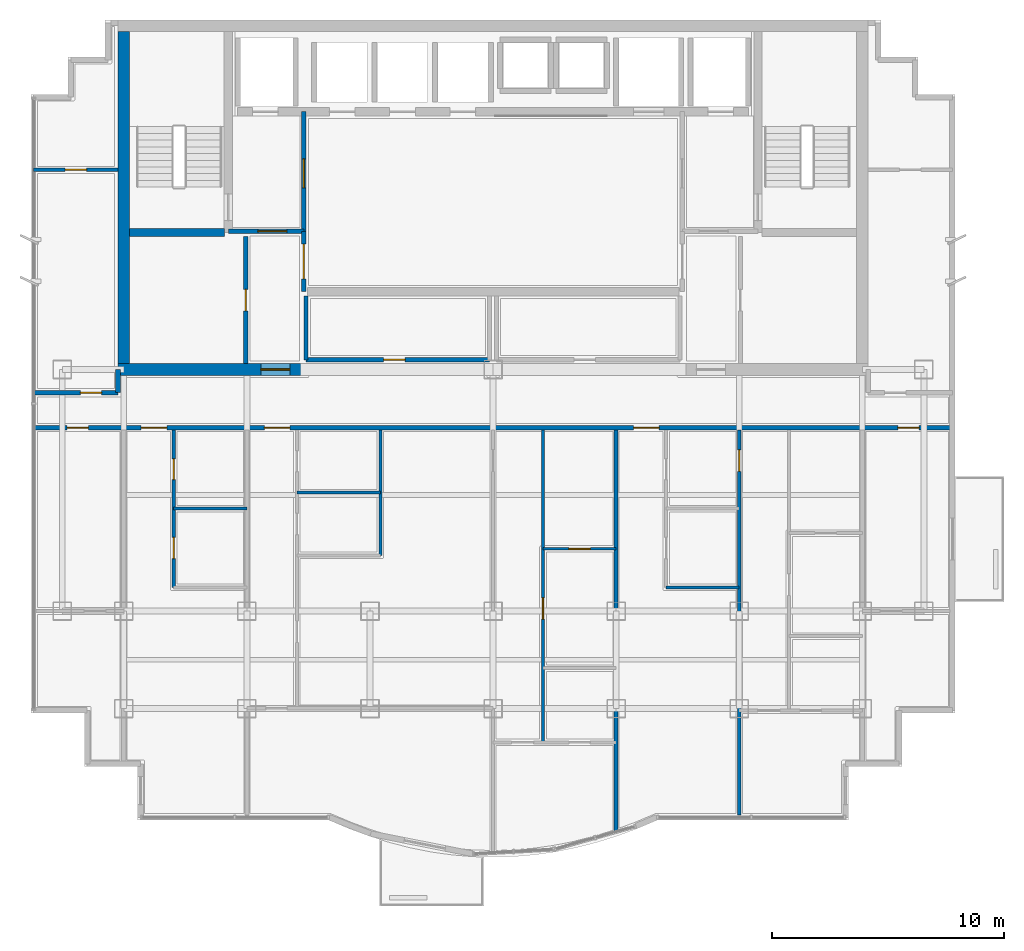
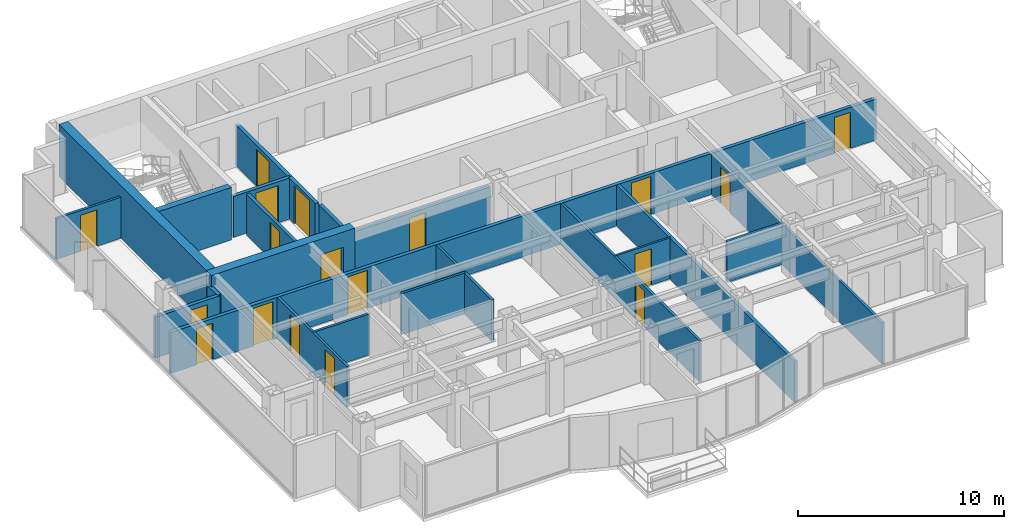
# One storey, part 7 of 11: 22 walls, 18 doors, 18 openings.
"""IFC4 building model written with IfcOpenShell, lengths in metres."""

from ifc_helpers import new_model, si_unit, direction, frame, frame_2d, origin, place, context, subcontext, project, spatial, rectangle, extrude, material, layer, layer_set, type_object, element, fill, save


model = new_model("IFC4")

# Units and contexts
model_context = context("Model", 3, precision=1e-05, world=origin(), true_north=direction((0.0, 1.0)))
body_context = subcontext(model_context, "Body", "Model", "MODEL_VIEW")
ifc_project = project(units=[si_unit("LENGTHUNIT", "METRE"), si_unit("AREAUNIT", "SQUARE_METRE"), si_unit("VOLUMEUNIT", "CUBIC_METRE"), si_unit("PLANEANGLEUNIT", "RADIAN"), si_unit("MASSUNIT", "GRAM", prefix="KILO")], contexts=[model_context])

# Site, building, storey
site_placement = place(None, origin())
site = spatial("IfcSite", under=ifc_project, at=site_placement, CompositionType="ELEMENT")
building_placement = place(site_placement, origin())
building = spatial("IfcBuilding", under=site, at=building_placement, Name="Qianlan Lanfeng Residences", CompositionType="ELEMENT")
storey_placement = place(building_placement, frame((0.0, 0.0, 203.300048828125)))
storey = spatial("IfcBuildingStorey", under=building, at=storey_placement, Name="L55", CompositionType="ELEMENT", Elevation=203.300048828125)

# Walls
ifc_material_1 = material(Name="Concrete C49", Category="concrete")
ifc_layer_1 = layer(ifc_material_1, 0.35009765625)
ifc_layer_set_1 = layer_set([ifc_layer_1], Name="Concrete C49")
wall_type_1 = type_object("IfcWallType", Name="CW-RC-350", PredefinedType="SHEAR", material=ifc_layer_set_1)
wall_1_placement = place(storey_placement, frame((10.85009765625, 31.10009765625, 0.0), z_axis=(0.0, 0.0, 1.0), x_axis=(1.0, 0.0, 0.0)))
element("IfcWall", 1, at=wall_1_placement, inside=storey, type_object=wall_type_1, Name="L55 Core Shear Wall ST1S", PredefinedType="SHEAR", context=body_context, shape_type="SweptSolid", body=[
    extrude(rectangle(XDim=4.074951171875, YDim=0.35009765625, at=frame_2d((2.03759765625, 0.0))), origin(), (0.0, 0.0, 1.0), 3.10986328125),
])
ifc_material_2 = material(Name="Concrete C70", Category="concrete")
ifc_layer_2 = layer(ifc_material_2, 0.5)
ifc_layer_set_2 = layer_set([ifc_layer_2], Name="Concrete C70")
wall_type_2 = type_object("IfcWallType", Name="CW-RC-500", PredefinedType="SHEAR", material=ifc_layer_set_2)
wall_2_placement = place(storey_placement, frame((10.60009765625, 25.449951171875, 0.0), z_axis=(0.0, 0.0, 1.0), x_axis=(0.0, 1.0, 0.0)))
element("IfcWall", 2, at=wall_2_placement, inside=storey, type_object=wall_type_2, Name="L55 Core Shear Wall W", PredefinedType="SHEAR", context=body_context, shape_type="SweptSolid", body=[
    extrude(rectangle(XDim=14.300048828125, YDim=0.5, at=frame_2d((7.14990234375, 0.0))), origin(), (0.0, 0.0, 1.0), 3.10986328125),
])

# Wall, opening, door
wall_3_placement = place(storey_placement, frame((10.35009765625, 25.199951171875, 0.0), z_axis=(0.0, 0.0, 1.0), x_axis=(1.0, 0.0, 0.0)))
wall_3 = element("IfcWall", 3, at=wall_3_placement, inside=storey, type_object=wall_type_2, Name="L55 Core Shear Wall SW", PredefinedType="SHEAR", context=body_context, shape_type="SweptSolid", body=[
    extrude(rectangle(XDim=8.0498046875, YDim=0.5, at=frame_2d((4.02490234375, 0.0))), origin(), (0.0, 0.0, 1.0), 3.10986328125),
])
opening_1_placement = place(wall_3_placement, frame((6.14990234375, 0.0, 0.0)))
opening_1 = element("IfcOpeningElement", 4, at=opening_1_placement, cuts=wall_3, Name="Opening L55-D01", PredefinedType="OPENING", context=body_context, shape_type="SweptSolid", body=[
    extrude(rectangle(XDim=1.25, YDim=2.199951171875, at=frame_2d((0.625, 1.10009765625))), frame((0.0, 0.260009765625, 0.0), z_axis=(0.0, -1.0, 0.0), x_axis=(1.0, 0.0, 0.0)), (0.0, 0.0, 1.0), 0.52001953125),
])
ifc_material_3 = material(Name="Painted Galvanised Steel Fire Door", Category="steel")
door_type_1 = type_object("IfcDoorType", Name="DT-FFL", OperationType="NOTDEFINED", PredefinedType="DOOR", material=ifc_material_3)
door_1_placement = place(opening_1_placement, frame((1.25, 0.0, 0.0), z_axis=(0.0, 0.0, 1.0), x_axis=(-1.0, 0.0, 0.0)))
door_1 = element("IfcDoor", 5, at=door_1_placement, inside=storey, type_object=door_type_1, Name="L55 West Core Lobby Smoke Door L55-D01 (DT-FFL)", OperationType="SINGLE_SWING_RIGHT", OverallHeight=2.199951171875, OverallWidth=1.25, PredefinedType="DOOR", context=body_context, shape_type="SweptSolid", body=[
    extrude(rectangle(XDim=1.25, YDim=2.199951171875, at=frame_2d((0.625, 1.10009765625))), frame((0.0, 0.02490234375, 0.0), z_axis=(0.0, -1.0, 0.0), x_axis=(1.0, 0.0, 0.0)), (0.0, 0.0, 1.0), 0.050048828125),
])
fill(opening_1, door_1)

ifc_material_4 = material(Name="Demountable Acoustic Framing Partition 110 mm")
ifc_layer_3 = layer(ifc_material_4, 0.110107421875)
ifc_layer_set_3 = layer_set([ifc_layer_3], Name="Demountable Acoustic Framing Partition 110 mm")
wall_type_3 = type_object("IfcWallType", Name="PW-110", PredefinedType="MOVABLE", material=ifc_layer_set_3)
wall_4_placement = place(storey_placement, frame((28.64990234375, 17.47412109375, 0.0), z_axis=(0.0, 0.0, 1.0), x_axis=(1.0, 0.0, 0.0)))
wall_4 = element("IfcWall", 6, at=wall_4_placement, inside=storey, type_object=wall_type_3, Name="L55 U02 Wardrobe Split", PredefinedType="MOVABLE", context=body_context, shape_type="SweptSolid", body=[
    extrude(rectangle(XDim=3.150146484375, YDim=0.110107421875, at=frame_2d((1.5751953125, 0.0))), origin(), (0.0, 0.0, 1.0), 2.429931640625),
])
opening_2_placement = place(wall_4_placement, frame((1.114990234375, 0.0, 0.0)))
opening_2 = element("IfcOpeningElement", 7, at=opening_2_placement, cuts=wall_4, Name="Opening L55-D27", PredefinedType="OPENING", context=body_context, shape_type="SweptSolid", body=[
    extrude(rectangle(XDim=0.919921875, YDim=2.14990234375, at=frame_2d((0.4599609375, 1.074951171875))), frame((0.0, 0.06494140625, 0.0), z_axis=(0.0, -1.0, 0.0), x_axis=(1.0, 0.0, 0.0)), (0.0, 0.0, 1.0), 0.130126953125),
])
ifc_material_5 = material(Name="Glazed Timber Kitchen/Study Door", Category="wood")
door_type_2 = type_object("IfcDoorType", Name="DT-INT", OperationType="NOTDEFINED", PredefinedType="DOOR", material=ifc_material_5)
door_2_placement = place(opening_2_placement, origin())
door_2 = element("IfcDoor", 8, at=door_2_placement, inside=storey, type_object=door_type_2, Name="L55 U02 Dressing Inner Door L55-D27 (DT-INT)", OperationType="SINGLE_SWING_LEFT", OverallHeight=2.14990234375, OverallWidth=0.919921875, PredefinedType="DOOR", context=body_context, shape_type="SweptSolid", body=[
    extrude(rectangle(XDim=0.919921875, YDim=2.14990234375, at=frame_2d((0.4599609375, 1.074951171875))), frame((0.0, 0.02490234375, 0.0), z_axis=(0.0, -1.0, 0.0), x_axis=(1.0, 0.0, 0.0)), (0.0, 0.0, 1.0), 0.050048828125),
])
fill(opening_2, door_2)

# Wall, openings, doors
ifc_material_6 = material(Name="Moisture-Resistant Gypsum Partition 135 mm")
ifc_layer_4 = layer(ifc_material_6, 0.135009765625)
ifc_layer_set_4 = layer_set([ifc_layer_4], Name="Moisture-Resistant Gypsum Partition 135 mm")
wall_type_4 = type_object("IfcWallType", Name="PW-135", PredefinedType="PARTITIONING", material=ifc_layer_set_4)
wall_5_placement = place(storey_placement, frame((12.75, 15.820068359375, 0.0), z_axis=(0.0, 0.0, 1.0), x_axis=(0.0, 1.0, 0.0)))
wall_5 = element("IfcWall", 9, at=wall_5_placement, inside=storey, type_object=wall_type_4, Name="L55 U01 Wet Stack Spine", PredefinedType="PARTITIONING", context=body_context, shape_type="SweptSolid", body=[
    extrude(rectangle(XDim=6.780029296875, YDim=0.135009765625, at=frame_2d((3.39013671875, 0.0))), origin(), (0.0, 0.0, 1.0), 2.429931640625),
])
opening_3_placement = place(wall_5_placement, frame((1.235107421875, 0.0, 0.0)))
opening_3 = element("IfcOpeningElement", 10, at=opening_3_placement, cuts=wall_5, Name="Opening L55-D16", PredefinedType="OPENING", context=body_context, shape_type="SweptSolid", body=[
    extrude(rectangle(XDim=0.919921875, YDim=2.14990234375, at=frame_2d((0.4599609375, 1.074951171875))), frame((0.0, 0.07763671875, 0.0), z_axis=(0.0, -1.0, 0.0), x_axis=(1.0, 0.0, 0.0)), (0.0, 0.0, 1.0), 0.155029296875),
])
opening_4_placement = place(wall_5_placement, frame((4.635009765625, 0.0, 0.0)))
opening_4 = element("IfcOpeningElement", 11, at=opening_4_placement, cuts=wall_5, Name="Opening L55-D17", PredefinedType="OPENING", context=body_context, shape_type="SweptSolid", body=[
    extrude(rectangle(XDim=0.89990234375, YDim=2.14990234375, at=frame_2d((0.449951171875, 1.074951171875))), frame((0.0, 0.07763671875, 0.0), z_axis=(0.0, -1.0, 0.0), x_axis=(1.0, 0.0, 0.0)), (0.0, 0.0, 1.0), 0.155029296875),
])
door_3_placement = place(opening_3_placement, origin())
door_3 = element("IfcDoor", 12, at=door_3_placement, inside=storey, type_object=door_type_2, Name="L55 U01 Kitchen Door L55-D16 (DT-INT)", OperationType="SINGLE_SWING_RIGHT", OverallHeight=2.14990234375, OverallWidth=0.919921875, PredefinedType="DOOR", context=body_context, shape_type="SweptSolid", body=[
    extrude(rectangle(XDim=0.919921875, YDim=2.14990234375, at=frame_2d((0.4599609375, 1.074951171875))), frame((0.0, 0.02490234375, 0.0), z_axis=(0.0, -1.0, 0.0), x_axis=(1.0, 0.0, 0.0)), (0.0, 0.0, 1.0), 0.050048828125),
])
fill(opening_3, door_3)
ifc_material_7 = material(Name="Moisture-Resistant Timber Leaf", Category="wood")
door_type_3 = type_object("IfcDoorType", Name="DT-WC", OperationType="NOTDEFINED", PredefinedType="DOOR", material=ifc_material_7)
door_4_placement = place(opening_4_placement, origin())
door_4 = element("IfcDoor", 13, at=door_4_placement, inside=storey, type_object=door_type_3, Name="L55 U01 Bathroom Door L55-D17 (DT-WC)", OperationType="SINGLE_SWING_LEFT", OverallHeight=2.14990234375, OverallWidth=0.89990234375, PredefinedType="DOOR", context=body_context, shape_type="SweptSolid", body=[
    extrude(rectangle(XDim=0.89990234375, YDim=2.14990234375, at=frame_2d((0.449951171875, 1.074951171875))), frame((0.0, 0.02490234375, 0.0), z_axis=(0.0, -1.0, 0.0), x_axis=(1.0, 0.0, 0.0)), (0.0, 0.0, 1.0), 0.050048828125),
])
fill(opening_4, door_4)

# Walls
wall_6_placement = place(storey_placement, frame((12.75, 19.2099609375, 0.0), z_axis=(0.0, 0.0, 1.0), x_axis=(1.0, 0.0, 0.0)))
element("IfcWall", 14, at=wall_6_placement, inside=storey, type_object=wall_type_4, Name="L55 U01 Bathroom South Wall", PredefinedType="PARTITIONING", context=body_context, shape_type="SweptSolid", body=[
    extrude(rectangle(XDim=3.14990234375, YDim=0.135009765625, at=frame_2d((1.574951171875, 0.0))), origin(), (0.0, 0.0, 1.0), 2.429931640625),
])
wall_7_placement = place(storey_placement, frame((21.64990234375, 17.199951171875, 0.0), z_axis=(0.0, 0.0, 1.0), x_axis=(0.0, 1.0, 0.0)))
element("IfcWall", 15, at=wall_7_placement, inside=storey, type_object=wall_type_4, Name="L55 U02 Dining East Wall", PredefinedType="PARTITIONING", context=body_context, shape_type="SweptSolid", body=[
    extrude(rectangle(XDim=5.400146484375, YDim=0.135009765625, at=frame_2d((2.7001953125, 0.0))), origin(), (0.0, 0.0, 1.0), 2.429931640625),
])
wall_8_placement = place(storey_placement, frame((18.050048828125, 19.89990234375, 0.0), z_axis=(0.0, 0.0, 1.0), x_axis=(1.0, 0.0, 0.0)))
element("IfcWall", 16, at=wall_8_placement, inside=storey, type_object=wall_type_4, Name="L55 U02 Bathroom South Wall", PredefinedType="PARTITIONING", context=body_context, shape_type="SweptSolid", body=[
    extrude(rectangle(XDim=3.599853515625, YDim=0.135009765625, at=frame_2d((1.7998046875, 0.0))), origin(), (0.0, 0.0, 1.0), 2.429931640625),
])

# Wall, opening, door
wall_9_placement = place(storey_placement, frame((28.64990234375, 9.14794921875, 0.0), z_axis=(0.0, 0.0, 1.0), x_axis=(0.0, 1.0, 0.0)))
wall_9 = element("IfcWall", 17, at=wall_9_placement, inside=storey, type_object=wall_type_4, Name="L55 U02 Master Passage Wall", PredefinedType="PARTITIONING", context=body_context, shape_type="SweptSolid", body=[
    extrude(rectangle(XDim=13.4521484375, YDim=0.135009765625, at=frame_2d((6.72607421875, 0.0))), origin(), (0.0, 0.0, 1.0), 2.429931640625),
])
opening_5_placement = place(wall_9_placement, frame((5.302978515625, 0.0, 0.0)))
opening_5 = element("IfcOpeningElement", 18, at=opening_5_placement, cuts=wall_9, Name="Opening L55-D26", PredefinedType="OPENING", context=body_context, shape_type="SweptSolid", body=[
    extrude(rectangle(XDim=0.919921875, YDim=2.14990234375, at=frame_2d((0.4599609375, 1.074951171875))), frame((0.0, 0.07763671875, 0.0), z_axis=(0.0, -1.0, 0.0), x_axis=(1.0, 0.0, 0.0)), (0.0, 0.0, 1.0), 0.155029296875),
])
door_5_placement = place(opening_5_placement, origin())
door_5 = element("IfcDoor", 19, at=door_5_placement, inside=storey, type_object=door_type_2, Name="L55 U02 Wardrobe Door L55-D26 (DT-INT)", OperationType="SINGLE_SWING_RIGHT", OverallHeight=2.14990234375, OverallWidth=0.919921875, PredefinedType="DOOR", context=body_context, shape_type="SweptSolid", body=[
    extrude(rectangle(XDim=0.919921875, YDim=2.14990234375, at=frame_2d((0.4599609375, 1.074951171875))), frame((0.0, 0.02490234375, 0.0), z_axis=(0.0, -1.0, 0.0), x_axis=(1.0, 0.0, 0.0)), (0.0, 0.0, 1.0), 0.050048828125),
])
fill(opening_5, door_5)

wall_10_placement = place(storey_placement, frame((37.10009765625, 6.02001953125, 0.0), z_axis=(0.0, 0.0, 1.0), x_axis=(0.0, 1.0, 0.0)))
wall_10 = element("IfcWall", 20, at=wall_10_placement, inside=storey, type_object=wall_type_4, Name="L55 U03 Bay Spine Wall 1", PredefinedType="PARTITIONING", context=body_context, shape_type="SweptSolid", body=[
    extrude(rectangle(XDim=16.580078125, YDim=0.135009765625, at=frame_2d((8.2900390625, 0.0))), origin(), (0.0, 0.0, 1.0), 2.429931640625),
])
opening_6_placement = place(wall_10_placement, frame((14.794921875, 0.0, 0.0)))
opening_6 = element("IfcOpeningElement", 21, at=opening_6_placement, cuts=wall_10, Name="Opening L55-D29", PredefinedType="OPENING", context=body_context, shape_type="SweptSolid", body=[
    extrude(rectangle(XDim=0.919921875, YDim=2.14990234375, at=frame_2d((0.4599609375, 1.074951171875))), frame((0.0, 0.07763671875, 0.0), z_axis=(0.0, -1.0, 0.0), x_axis=(1.0, 0.0, 0.0)), (0.0, 0.0, 1.0), 0.155029296875),
])
door_6_placement = place(opening_6_placement, origin())
door_6 = element("IfcDoor", 22, at=door_6_placement, inside=storey, type_object=door_type_2, Name="L55 U03 Internal Hall Door L55-D29 (DT-INT)", OperationType="SINGLE_SWING_LEFT", OverallHeight=2.14990234375, OverallWidth=0.919921875, PredefinedType="DOOR", context=body_context, shape_type="SweptSolid", body=[
    extrude(rectangle(XDim=0.919921875, YDim=2.14990234375, at=frame_2d((0.4599609375, 1.074951171875))), frame((0.0, 0.02490234375, 0.0), z_axis=(0.0, -1.0, 0.0), x_axis=(1.0, 0.0, 0.0)), (0.0, 0.0, 1.0), 0.050048828125),
])
fill(opening_6, door_6)

# Wall
wall_11_placement = place(storey_placement, frame((33.949951171875, 15.820068359375, 0.0), z_axis=(0.0, 0.0, 1.0), x_axis=(1.0, 0.0, 0.0)))
element("IfcWall", 23, at=wall_11_placement, inside=storey, type_object=wall_type_4, Name="L55 U03 Kitchen South Wall", PredefinedType="PARTITIONING", context=body_context, shape_type="SweptSolid", body=[
    extrude(rectangle(XDim=3.150146484375, YDim=0.135009765625, at=frame_2d((1.5751953125, 0.0))), origin(), (0.0, 0.0, 1.0), 2.429931640625),
])

# Wall, opening, door
wall_12_placement = place(storey_placement, frame((6.719970703125, 33.800048828125, 0.0), z_axis=(0.0, 0.0, 1.0), x_axis=(1.0, 0.0, 0.0)))
wall_12 = element("IfcWall", 24, at=wall_12_placement, inside=storey, type_object=wall_type_4, Name="L55 WW North Wing Wall", PredefinedType="PARTITIONING", context=body_context, shape_type="SweptSolid", body=[
    extrude(rectangle(XDim=3.630126953125, YDim=0.135009765625, at=frame_2d((1.81494140625, 0.0))), origin(), (0.0, 0.0, 1.0), 2.429931640625),
])
opening_7_placement = place(wall_12_placement, frame((1.35498046875, 0.0, 0.0)))
opening_7 = element("IfcOpeningElement", 25, at=opening_7_placement, cuts=wall_12, Name="Opening L55-D40", PredefinedType="OPENING", context=body_context, shape_type="SweptSolid", body=[
    extrude(rectangle(XDim=0.919921875, YDim=2.14990234375, at=frame_2d((0.4599609375, 1.074951171875))), frame((0.0, 0.07763671875, 0.0), z_axis=(0.0, -1.0, 0.0), x_axis=(1.0, 0.0, 0.0)), (0.0, 0.0, 1.0), 0.155029296875),
])
door_7_placement = place(opening_7_placement, origin())
door_7 = element("IfcDoor", 26, at=door_7_placement, inside=storey, type_object=door_type_2, Name="L55 WW Inner Salon Door L55-D40 (DT-INT)", OperationType="SINGLE_SWING_RIGHT", OverallHeight=2.14990234375, OverallWidth=0.919921875, PredefinedType="DOOR", context=body_context, shape_type="SweptSolid", body=[
    extrude(rectangle(XDim=0.919921875, YDim=2.14990234375, at=frame_2d((0.4599609375, 1.074951171875))), frame((0.0, 0.02490234375, 0.0), z_axis=(0.0, -1.0, 0.0), x_axis=(1.0, 0.0, 0.0)), (0.0, 0.0, 1.0), 0.050048828125),
])
fill(opening_7, door_7)

ifc_material_8 = material(Name="Double-Layer Acoustic Gypsum Stud Wall 180 mm")
ifc_layer_5 = layer(ifc_material_8, 0.179931640625)
ifc_layer_set_5 = layer_set([ifc_layer_5], Name="Double-Layer Acoustic Gypsum Stud Wall 180 mm")
wall_type_5 = type_object("IfcWallType", Name="PW-180", PredefinedType="PARTITIONING", material=ifc_layer_set_5)
wall_13_placement = place(storey_placement, frame((15.85009765625, 25.449951171875, 0.0), z_axis=(0.0, 0.0, 1.0), x_axis=(0.0, 1.0, 0.0)))
wall_13 = element("IfcWall", 27, at=wall_13_placement, inside=storey, type_object=wall_type_5, Name="L55 Core West Service Room Wall", PredefinedType="PARTITIONING", context=body_context, shape_type="SweptSolid", body=[
    extrude(rectangle(XDim=5.47509765625, YDim=0.179931640625, at=frame_2d((2.737548828125, 0.0))), origin(), (0.0, 0.0, 1.0), 2.429931640625),
])
opening_8_placement = place(wall_13_placement, frame((2.277099609375, 0.0, 0.0)))
opening_8 = element("IfcOpeningElement", 28, at=opening_8_placement, cuts=wall_13, Name="Opening L55-D09", PredefinedType="OPENING", context=body_context, shape_type="SweptSolid", body=[
    extrude(rectangle(XDim=0.919921875, YDim=2.14990234375, at=frame_2d((0.4599609375, 1.074951171875))), frame((0.0, 0.10009765625, 0.0), z_axis=(0.0, -1.0, 0.0), x_axis=(1.0, 0.0, 0.0)), (0.0, 0.0, 1.0), 0.199951171875),
])
door_8_placement = place(opening_8_placement, origin())
door_8 = element("IfcDoor", 29, at=door_8_placement, inside=storey, type_object=door_type_2, Name="L55 Core Storage Door L55-D09 (DT-INT)", OperationType="SINGLE_SWING_LEFT", OverallHeight=2.14990234375, OverallWidth=0.919921875, PredefinedType="DOOR", context=body_context, shape_type="SweptSolid", body=[
    extrude(rectangle(XDim=0.919921875, YDim=2.14990234375, at=frame_2d((0.4599609375, 1.074951171875))), frame((0.0, 0.02490234375, 0.0), z_axis=(0.0, -1.0, 0.0), x_axis=(1.0, 0.0, 0.0)), (0.0, 0.0, 1.0), 0.050048828125),
])
fill(opening_8, door_8)

# Wall
wall_14_placement = place(storey_placement, frame((18.449951171875, 25.6201171875, 0.0), z_axis=(0.0, 0.0, 1.0), x_axis=(0.0, 1.0, 0.0)))
element("IfcWall", 30, at=wall_14_placement, inside=storey, type_object=wall_type_5, Name="L55 Reclaimed Low-Bank Room West Wall", PredefinedType="PARTITIONING", context=body_context, shape_type="SweptSolid", body=[
    extrude(rectangle(XDim=2.7548828125, YDim=0.179931640625, at=frame_2d((1.37744140625, 0.0))), origin(), (0.0, 0.0, 1.0), 2.429931640625),
])

# Wall, opening, door
wall_15_placement = place(storey_placement, frame((18.449951171875, 25.6201171875, 0.0), z_axis=(0.0, 0.0, 1.0), x_axis=(1.0, 0.0, 0.0)))
wall_15 = element("IfcWall", 31, at=wall_15_placement, inside=storey, type_object=wall_type_5, Name="L55 Reclaimed Low-Bank Room South Wall", PredefinedType="PARTITIONING", context=body_context, shape_type="SweptSolid", body=[
    extrude(rectangle(XDim=7.900146484375, YDim=0.179931640625, at=frame_2d((3.9501953125, 0.0))), origin(), (0.0, 0.0, 1.0), 2.429931640625),
])
opening_9_placement = place(wall_15_placement, frame((3.340087890625, 0.0, 0.0)))
opening_9 = element("IfcOpeningElement", 32, at=opening_9_placement, cuts=wall_15, Name="Opening L55-D13", PredefinedType="OPENING", context=body_context, shape_type="SweptSolid", body=[
    extrude(rectangle(XDim=0.919921875, YDim=2.14990234375, at=frame_2d((0.4599609375, 1.074951171875))), frame((0.0, 0.10009765625, 0.0), z_axis=(0.0, -1.0, 0.0), x_axis=(1.0, 0.0, 0.0)), (0.0, 0.0, 1.0), 0.199951171875),
])
door_9_placement = place(opening_9_placement, origin())
door_9 = element("IfcDoor", 33, at=door_9_placement, inside=storey, type_object=door_type_2, Name="L55 Reclaimed Core Salon Door L55-D13 (DT-INT)", OperationType="SINGLE_SWING_LEFT", OverallHeight=2.14990234375, OverallWidth=0.919921875, PredefinedType="DOOR", context=body_context, shape_type="SweptSolid", body=[
    extrude(rectangle(XDim=0.919921875, YDim=2.14990234375, at=frame_2d((0.4599609375, 1.074951171875))), frame((0.0, 0.02490234375, 0.0), z_axis=(0.0, -1.0, 0.0), x_axis=(1.0, 0.0, 0.0)), (0.0, 0.0, 1.0), 0.050048828125),
])
fill(opening_9, door_9)

# Wall
wall_16_placement = place(storey_placement, frame((31.800048828125, 5.3310546875, 0.0), z_axis=(0.0, 0.0, 1.0), x_axis=(0.0, 1.0, 0.0)))
element("IfcWall", 34, at=wall_16_placement, inside=storey, type_object=wall_type_5, Name="L55 Inter-Tenancy Party Wall 3", PredefinedType="PARTITIONING", context=body_context, shape_type="SweptSolid", body=[
    extrude(rectangle(XDim=17.26904296875, YDim=0.179931640625, at=frame_2d((8.634521484375, 0.0))), origin(), (0.0, 0.0, 1.0), 2.429931640625),
])

# Wall, opening, door
ifc_material_9 = material(Name="Autoclaved Aerated Concrete Blockwork 200 mm", Category="masonry")
ifc_layer_6 = layer(ifc_material_9, 0.199951171875)
ifc_layer_set_6 = layer_set([ifc_layer_6], Name="Autoclaved Aerated Concrete Blockwork 200 mm")
wall_type_6 = type_object("IfcWallType", Name="PW-200", PredefinedType="PARTITIONING", material=ifc_layer_set_6)
wall_17_placement = place(storey_placement, frame((15.10009765625, 31.14990234375, 0.0), z_axis=(0.0, 0.0, 1.0), x_axis=(1.0, 0.0, 0.0)))
wall_17 = element("IfcWall", 35, at=wall_17_placement, inside=storey, type_object=wall_type_6, Name="L55 Firefighting Lobby 1 South Wall", PredefinedType="PARTITIONING", context=body_context, shape_type="SweptSolid", body=[
    extrude(rectangle(XDim=3.25, YDim=0.199951171875, at=frame_2d((1.625, 0.0))), origin(), (0.0, 0.0, 1.0), 2.429931640625),
])
opening_10_placement = place(wall_17_placement, frame((1.27490234375, 0.0, 0.0)))
opening_10 = element("IfcOpeningElement", 36, at=opening_10_placement, cuts=wall_17, Name="Opening L55-D03", PredefinedType="OPENING", context=body_context, shape_type="SweptSolid", body=[
    extrude(rectangle(XDim=1.25, YDim=2.199951171875, at=frame_2d((0.625, 1.10009765625))), frame((0.0, 0.10986328125, 0.0), z_axis=(0.0, -1.0, 0.0), x_axis=(1.0, 0.0, 0.0)), (0.0, 0.0, 1.0), 0.219970703125),
])
door_10_placement = place(opening_10_placement, origin())
door_10 = element("IfcDoor", 37, at=door_10_placement, inside=storey, type_object=door_type_1, Name="L55 Firefighting Lobby 1 Entry Door L55-D03 (DT-FFL)", OperationType="SINGLE_SWING_LEFT", OverallHeight=2.199951171875, OverallWidth=1.25, PredefinedType="DOOR", context=body_context, shape_type="SweptSolid", body=[
    extrude(rectangle(XDim=1.25, YDim=2.199951171875, at=frame_2d((0.625, 1.10009765625))), frame((0.0, 0.02490234375, 0.0), z_axis=(0.0, -1.0, 0.0), x_axis=(1.0, 0.0, 0.0)), (0.0, 0.0, 1.0), 0.050048828125),
])
fill(opening_10, door_10)

wall_18_placement = place(storey_placement, frame((18.35009765625, 31.14990234375, 0.0), z_axis=(0.0, 0.0, 1.0), x_axis=(0.0, 1.0, 0.0)))
wall_18 = element("IfcWall", 38, at=wall_18_placement, inside=storey, type_object=wall_type_6, Name="L55 Firefighting Lobby 1 East Wall", PredefinedType="PARTITIONING", context=body_context, shape_type="SweptSolid", body=[
    extrude(rectangle(XDim=5.150146484375, YDim=0.199951171875, at=frame_2d((2.5751953125, 0.0))), origin(), (0.0, 0.0, 1.0), 2.429931640625),
])
opening_11_placement = place(wall_18_placement, frame((1.875, 0.0, 0.0)))
opening_11 = element("IfcOpeningElement", 39, at=opening_11_placement, cuts=wall_18, Name="Opening L55-D04", PredefinedType="OPENING", context=body_context, shape_type="SweptSolid", body=[
    extrude(rectangle(XDim=1.25, YDim=2.199951171875, at=frame_2d((0.625, 1.10009765625))), frame((0.0, 0.10986328125, 0.0), z_axis=(0.0, -1.0, 0.0), x_axis=(1.0, 0.0, 0.0)), (0.0, 0.0, 1.0), 0.219970703125),
])
door_11_placement = place(opening_11_placement, origin())
door_11 = element("IfcDoor", 40, at=door_11_placement, inside=storey, type_object=door_type_1, Name="L55 Firefighting Lobby 1 Lift Lobby Door L55-D04 (DT-FFL)", OperationType="SINGLE_SWING_RIGHT", OverallHeight=2.199951171875, OverallWidth=1.25, PredefinedType="DOOR", context=body_context, shape_type="SweptSolid", body=[
    extrude(rectangle(XDim=1.25, YDim=2.199951171875, at=frame_2d((0.625, 1.10009765625))), frame((0.0, 0.02490234375, 0.0), z_axis=(0.0, -1.0, 0.0), x_axis=(1.0, 0.0, 0.0)), (0.0, 0.0, 1.0), 0.050048828125),
])
fill(opening_11, door_11)

wall_19_placement = place(storey_placement, frame((18.35009765625, 28.550048828125, 0.0), z_axis=(0.0, 0.0, 1.0), x_axis=(0.0, 1.0, 0.0)))
wall_19 = element("IfcWall", 41, at=wall_19_placement, inside=storey, type_object=wall_type_6, Name="L55 Lift Lobby West Connector Wall", PredefinedType="PARTITIONING", context=body_context, shape_type="SweptSolid", body=[
    extrude(rectangle(XDim=2.599853515625, YDim=0.199951171875, at=frame_2d((1.2998046875, 0.0))), origin(), (0.0, 0.0, 1.0), 2.429931640625),
])
opening_12_placement = place(wall_19_placement, frame((0.550048828125, 0.0, 0.0)))
opening_12 = element("IfcOpeningElement", 42, at=opening_12_placement, cuts=wall_19, Name="Opening L55-D11", PredefinedType="OPENING", context=body_context, shape_type="SweptSolid", body=[
    extrude(rectangle(XDim=1.5, YDim=2.25, at=frame_2d((0.75, 1.125))), frame((0.0, 0.10986328125, 0.0), z_axis=(0.0, -1.0, 0.0), x_axis=(1.0, 0.0, 0.0)), (0.0, 0.0, 1.0), 0.219970703125),
])
ifc_material_10 = material(Name="Timber Veneer Acoustic Fire Door", Category="wood")
door_type_4 = type_object("IfcDoorType", Name="DT-COR1", OperationType="NOTDEFINED", PredefinedType="DOOR", material=ifc_material_10)
door_12_placement = place(opening_12_placement, origin())
door_12 = element("IfcDoor", 43, at=door_12_placement, inside=storey, type_object=door_type_4, Name="L55 Lift Lobby West Portal Door L55-D11 (DT-COR1)", OperationType="DOUBLE_DOOR_SINGLE_SWING", OverallHeight=2.25, OverallWidth=1.5, PredefinedType="DOOR", context=body_context, shape_type="SweptSolid", body=[
    extrude(rectangle(XDim=1.5, YDim=2.25, at=frame_2d((0.75, 1.125))), frame((0.0, 0.02490234375, 0.0), z_axis=(0.0, -1.0, 0.0), x_axis=(1.0, 0.0, 0.0)), (0.0, 0.0, 1.0), 0.050048828125),
])
fill(opening_12, door_12)

# Wall, openings, doors
wall_20_placement = place(storey_placement, frame((6.719970703125, 22.699951171875, 0.0), z_axis=(0.0, 0.0, 1.0), x_axis=(1.0, 0.0, 0.0)))
wall_20 = element("IfcWall", 44, at=wall_20_placement, inside=storey, type_object=wall_type_6, Name="L55 Residential Corridor South Fire Wall", PredefinedType="PARTITIONING", context=body_context, shape_type="SweptSolid", body=[
    extrude(rectangle(XDim=39.56005859375, YDim=0.199951171875, at=frame_2d((19.780029296875, 0.0))), origin(), (0.0, 0.0, 1.0), 2.429931640625),
])
opening_13_placement = place(wall_20_placement, frame((4.6298828125, 0.0, 0.0)))
opening_13 = element("IfcOpeningElement", 45, at=opening_13_placement, cuts=wall_20, Name="Opening L55-D15", PredefinedType="OPENING", context=body_context, shape_type="SweptSolid", body=[
    extrude(rectangle(XDim=1.10009765625, YDim=2.25, at=frame_2d((0.550048828125, 1.125))), frame((0.0, 0.10986328125, 0.0), z_axis=(0.0, -1.0, 0.0), x_axis=(1.0, 0.0, 0.0)), (0.0, 0.0, 1.0), 0.219970703125),
])
opening_14_placement = place(wall_20_placement, frame((9.929931640625, 0.0, 0.0)))
opening_14 = element("IfcOpeningElement", 46, at=opening_14_placement, cuts=wall_20, Name="Opening L55-D18", PredefinedType="OPENING", context=body_context, shape_type="SweptSolid", body=[
    extrude(rectangle(XDim=1.10009765625, YDim=2.25, at=frame_2d((0.550048828125, 1.125))), frame((0.0, 0.10986328125, 0.0), z_axis=(0.0, -1.0, 0.0), x_axis=(1.0, 0.0, 0.0)), (0.0, 0.0, 1.0), 0.219970703125),
])
opening_15_placement = place(wall_20_placement, frame((25.830078125, 0.0, 0.0)))
opening_15 = element("IfcOpeningElement", 47, at=opening_15_placement, cuts=wall_20, Name="Opening L55-D28", PredefinedType="OPENING", context=body_context, shape_type="SweptSolid", body=[
    extrude(rectangle(XDim=1.10009765625, YDim=2.25, at=frame_2d((0.550048828125, 1.125))), frame((0.0, 0.10986328125, 0.0), z_axis=(0.0, -1.0, 0.0), x_axis=(1.0, 0.0, 0.0)), (0.0, 0.0, 1.0), 0.219970703125),
])
opening_16_placement = place(wall_20_placement, frame((1.43505859375, 0.0, 0.0)))
opening_16 = element("IfcOpeningElement", 48, at=opening_16_placement, cuts=wall_20, Name="Opening L55-D37", PredefinedType="OPENING", context=body_context, shape_type="SweptSolid", body=[
    extrude(rectangle(XDim=0.919921875, YDim=2.14990234375, at=frame_2d((0.4599609375, 1.074951171875))), frame((0.0, 0.10986328125, 0.0), z_axis=(0.0, -1.0, 0.0), x_axis=(1.0, 0.0, 0.0)), (0.0, 0.0, 1.0), 0.219970703125),
])
opening_17_placement = place(wall_20_placement, frame((37.205078125, 0.0, 0.0)))
opening_17 = element("IfcOpeningElement", 49, at=opening_17_placement, cuts=wall_20, Name="Opening L55-D39", PredefinedType="OPENING", context=body_context, shape_type="SweptSolid", body=[
    extrude(rectangle(XDim=0.919921875, YDim=2.14990234375, at=frame_2d((0.4599609375, 1.074951171875))), frame((0.0, 0.10986328125, 0.0), z_axis=(0.0, -1.0, 0.0), x_axis=(1.0, 0.0, 0.0)), (0.0, 0.0, 1.0), 0.219970703125),
])
door_13_placement = place(opening_16_placement, origin())
door_13 = element("IfcDoor", 50, at=door_13_placement, inside=storey, type_object=door_type_2, Name="L55 SWP Corridor Door L55-D37 (DT-INT)", OperationType="SINGLE_SWING_LEFT", OverallHeight=2.14990234375, OverallWidth=0.919921875, PredefinedType="DOOR", context=body_context, shape_type="SweptSolid", body=[
    extrude(rectangle(XDim=0.919921875, YDim=2.14990234375, at=frame_2d((0.4599609375, 1.074951171875))), frame((0.0, 0.02490234375, 0.0), z_axis=(0.0, -1.0, 0.0), x_axis=(1.0, 0.0, 0.0)), (0.0, 0.0, 1.0), 0.050048828125),
])
fill(opening_16, door_13)
door_14_placement = place(opening_17_placement, origin())
door_14 = element("IfcDoor", 51, at=door_14_placement, inside=storey, type_object=door_type_2, Name="L55 SEP Corridor Door L55-D39 (DT-INT)", OperationType="SINGLE_SWING_LEFT", OverallHeight=2.14990234375, OverallWidth=0.919921875, PredefinedType="DOOR", context=body_context, shape_type="SweptSolid", body=[
    extrude(rectangle(XDim=0.919921875, YDim=2.14990234375, at=frame_2d((0.4599609375, 1.074951171875))), frame((0.0, 0.02490234375, 0.0), z_axis=(0.0, -1.0, 0.0), x_axis=(1.0, 0.0, 0.0)), (0.0, 0.0, 1.0), 0.050048828125),
])
fill(opening_17, door_14)
ifc_material_11 = material(Name="Solid-Core Oak Veneer Fire Door")
door_type_5 = type_object("IfcDoorType", Name="DT-UNIT", OperationType="NOTDEFINED", PredefinedType="DOOR", material=ifc_material_11)
door_15_placement = place(opening_13_placement, frame((1.10009765625, 0.0, 0.0), z_axis=(0.0, 0.0, 1.0), x_axis=(-1.0, 0.0, 0.0)))
door_15 = element("IfcDoor", 52, at=door_15_placement, inside=storey, type_object=door_type_5, Name="L55 Apartment U01 Entrance Door L55-D15 (DT-UNIT)", OperationType="SINGLE_SWING_RIGHT", OverallHeight=2.25, OverallWidth=1.10009765625, PredefinedType="DOOR", context=body_context, shape_type="SweptSolid", body=[
    extrude(rectangle(XDim=1.10009765625, YDim=2.25, at=frame_2d((0.550048828125, 1.125))), frame((0.0, 0.02490234375, 0.0), z_axis=(0.0, -1.0, 0.0), x_axis=(1.0, 0.0, 0.0)), (0.0, 0.0, 1.0), 0.050048828125),
])
fill(opening_13, door_15)
door_16_placement = place(opening_14_placement, origin())
door_16 = element("IfcDoor", 53, at=door_16_placement, inside=storey, type_object=door_type_5, Name="L55 Apartment U02 Entrance Door L55-D18 (DT-UNIT)", OperationType="SINGLE_SWING_RIGHT", OverallHeight=2.25, OverallWidth=1.10009765625, PredefinedType="DOOR", context=body_context, shape_type="SweptSolid", body=[
    extrude(rectangle(XDim=1.10009765625, YDim=2.25, at=frame_2d((0.550048828125, 1.125))), frame((0.0, 0.02490234375, 0.0), z_axis=(0.0, -1.0, 0.0), x_axis=(1.0, 0.0, 0.0)), (0.0, 0.0, 1.0), 0.050048828125),
])
fill(opening_14, door_16)
door_17_placement = place(opening_15_placement, origin())
door_17 = element("IfcDoor", 54, at=door_17_placement, inside=storey, type_object=door_type_5, Name="L55 Apartment U03 Entrance Door L55-D28 (DT-UNIT)", OperationType="SINGLE_SWING_RIGHT", OverallHeight=2.25, OverallWidth=1.10009765625, PredefinedType="DOOR", context=body_context, shape_type="SweptSolid", body=[
    extrude(rectangle(XDim=1.10009765625, YDim=2.25, at=frame_2d((0.550048828125, 1.125))), frame((0.0, 0.02490234375, 0.0), z_axis=(0.0, -1.0, 0.0), x_axis=(1.0, 0.0, 0.0)), (0.0, 0.0, 1.0), 0.050048828125),
])
fill(opening_15, door_17)

# Wall, opening, door
wall_21_placement = place(storey_placement, frame((6.719970703125, 24.199951171875, 0.0), z_axis=(0.0, 0.0, 1.0), x_axis=(1.0, 0.0, 0.0)))
wall_21 = element("IfcWall", 55, at=wall_21_placement, inside=storey, type_object=wall_type_6, Name="L55 Corridor NW Wall", PredefinedType="PARTITIONING", context=body_context, shape_type="SweptSolid", body=[
    extrude(rectangle(XDim=3.630126953125, YDim=0.199951171875, at=frame_2d((1.81494140625, 0.0))), origin(), (0.0, 0.0, 1.0), 2.429931640625),
])
opening_18_placement = place(wall_21_placement, frame((2.0048828125, 0.0, 0.0)))
opening_18 = element("IfcOpeningElement", 56, at=opening_18_placement, cuts=wall_21, Name="Opening L55-D41", PredefinedType="OPENING", context=body_context, shape_type="SweptSolid", body=[
    extrude(rectangle(XDim=0.919921875, YDim=2.14990234375, at=frame_2d((0.4599609375, 1.074951171875))), frame((0.0, 0.10986328125, 0.0), z_axis=(0.0, -1.0, 0.0), x_axis=(1.0, 0.0, 0.0)), (0.0, 0.0, 1.0), 0.219970703125),
])
door_18_placement = place(opening_18_placement, frame((0.919921875, 0.0, 0.0), z_axis=(0.0, 0.0, 1.0), x_axis=(-1.0, 0.0, 0.0)))
door_18 = element("IfcDoor", 57, at=door_18_placement, inside=storey, type_object=door_type_2, Name="L55 WW Amenity Salon Door L55-D41 (DT-INT)", OperationType="SINGLE_SWING_LEFT", OverallHeight=2.14990234375, OverallWidth=0.919921875, PredefinedType="DOOR", context=body_context, shape_type="SweptSolid", body=[
    extrude(rectangle(XDim=0.919921875, YDim=2.14990234375, at=frame_2d((0.4599609375, 1.074951171875))), frame((0.0, 0.02490234375, 0.0), z_axis=(0.0, -1.0, 0.0), x_axis=(1.0, 0.0, 0.0)), (0.0, 0.0, 1.0), 0.050048828125),
])
fill(opening_18, door_18)

# Wall
wall_22_placement = place(storey_placement, frame((10.35009765625, 24.199951171875, 0.0), z_axis=(0.0, 0.0, 1.0), x_axis=(0.0, 1.0, 0.0)))
element("IfcWall", 58, at=wall_22_placement, inside=storey, type_object=wall_type_6, Name="L55 NW Wing Core Return Wall", PredefinedType="PARTITIONING", context=body_context, shape_type="SweptSolid", body=[
    extrude(rectangle(XDim=1.0, YDim=0.199951171875, at=frame_2d((0.5, 0.0))), origin(), (0.0, 0.0, 1.0), 2.429931640625),
])

save(model, "model.ifc")
